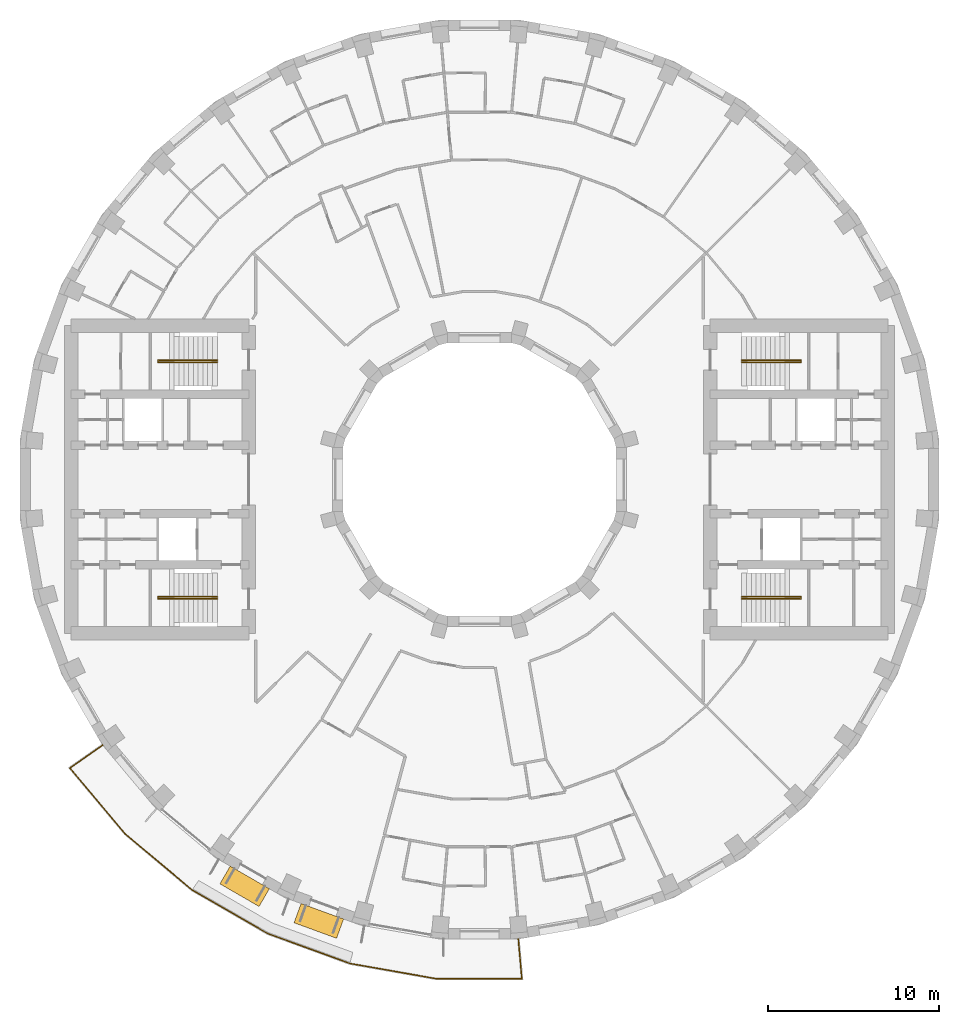
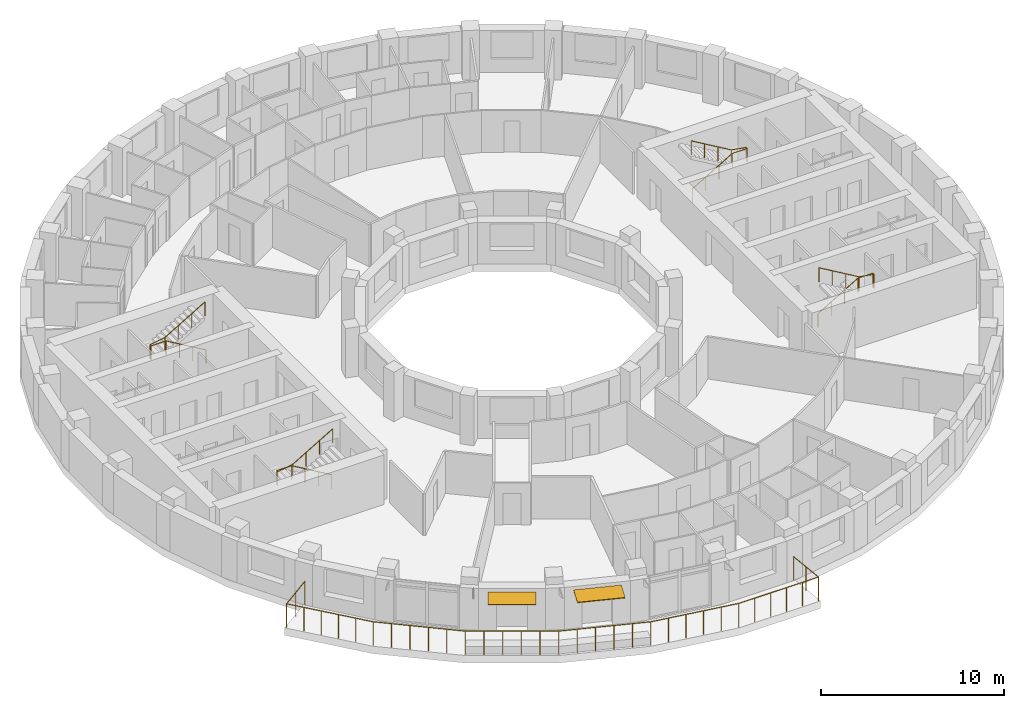
# One storey, part 14 of 14: 5 railings, 2 shading devices.
"""IFC4 building model written with IfcOpenShell, lengths in metres."""

from ifc_helpers import new_model, si_unit, direction, frame, origin, origin_2d, place, context, subcontext, project, spatial, rectangle, circle, extrude, material, layer, layer_set, type_object, element, save


model = new_model("IFC4")

# Units and contexts
model_context = context("Model", 3, precision=1e-05, world=origin(), true_north=direction((0.0, 1.0)))
body_context = subcontext(model_context, "Body", "Model", "MODEL_VIEW")
ifc_project = project(units=[si_unit("LENGTHUNIT", "METRE"), si_unit("AREAUNIT", "SQUARE_METRE"), si_unit("VOLUMEUNIT", "CUBIC_METRE"), si_unit("PLANEANGLEUNIT", "RADIAN"), si_unit("MASSUNIT", "GRAM", prefix="KILO")], contexts=[model_context])

# Site, building, storey
site_placement = place(None, origin())
site = spatial("IfcSite", under=ifc_project, at=site_placement, CompositionType="ELEMENT")
building_placement = place(site_placement, origin())
building = spatial("IfcBuilding", under=site, at=building_placement, Name="Saqina Gate Tower", CompositionType="ELEMENT")
storey_placement = place(building_placement, frame((0.0, 0.0, 134.800048828125)))
storey = spatial("IfcBuildingStorey", under=building, at=storey_placement, Name="L38", CompositionType="ELEMENT", Elevation=134.800048828125)

# Shading devices
ifc_material_1 = material(Name="Aluminium and fabric awning", Category="aluminium")
ifc_layer = layer(ifc_material_1, 0.050048828125)
ifc_layer_set = layer_set([ifc_layer], Name="AW-TERRACE")
shading_device_type = type_object("IfcShadingDeviceType", Name="AW-TERRACE", PredefinedType="AWNING", material=ifc_layer_set)
for number, where, z_axis, x_axis, name in (
    (1, (-13.74853515625, -23.813232421875, 2.52490234375), (0.0, 0.0, 1.0), (0.866025403784, -0.5, 0.0), "Terrace awning L38 facet 24"),
    (2, (-9.404541015625, -25.839111328125, 2.52490234375), (0.0, 0.0, 1.0), (0.939692620786, -0.342020143326, 0.0), "Terrace awning L38 facet 25"),
):
    element("IfcShadingDevice", number, at=place(storey_placement, frame(where, z_axis=z_axis, x_axis=x_axis)), inside=storey, type_object=shading_device_type, Name=name, PredefinedType="AWNING", context=body_context, shape_type="SweptSolid", body=[
        extrude(rectangle(XDim=2.647705078125, YDim=1.199951171875, at=origin_2d()), origin(), (0.0, 0.0, 1.0), 0.050048828125),
    ])

# Railings
ifc_material_2 = material(Name="Stainless steel", Category="steel")
railing_type_1 = type_object("IfcRailingType", Name="RL-TERRACE", PredefinedType="GUARDRAIL", material=ifc_material_2)
railing_1_placement = place(storey_placement, frame((-22.022216796875, -15.517578125, 0.0)))
element("IfcRailing", 3, at=railing_1_placement, inside=storey, type_object=railing_type_1, Name="Terrace guard L38", PredefinedType="GUARDRAIL", context=body_context, shape_type="SweptSolid", body=[
    extrude(circle(Radius=0.02392578125, at=origin_2d()), frame((0.0, 0.0, 1.576171875), z_axis=(-0.819111872113, -0.573633803889, 0.0), x_axis=(0.573633803889, -0.819111872113, 0.0)), (0.0, 0.0, 1.0), 2.388916015625),
    extrude(circle(Radius=0.02392578125, at=origin_2d()), frame((-1.956787109375, -1.370361328125, 1.576171875), z_axis=(0.643889225098, -0.765118726606, 0.0), x_axis=(0.765118726606, 0.643889225098, 0.0)), (0.0, 0.0, 1.0), 5.03271484375),
    extrude(circle(Radius=0.02392578125, at=origin_2d()), frame((1.28369140625, -5.220947265625, 1.576171875), z_axis=(0.766020862158, -0.642815711334, 0.0), x_axis=(0.642815711334, 0.766020862158, 0.0)), (0.0, 0.0, 1.0), 5.112548828125),
    extrude(circle(Radius=0.02392578125, at=origin_2d()), frame((5.199951171875, -8.50732421875, 1.576171875), z_axis=(0.866018575041, -0.500011827544, 0.0), x_axis=(0.500011827544, 0.866018575041, 0.0)), (0.0, 0.0, 1.0), 5.1123046875),
    extrude(circle(Radius=0.02392578125, at=origin_2d()), frame((9.627197265625, -11.0634765625, 1.576171875), z_axis=(0.939695786518, -0.342011445423, 0.0), x_axis=(0.342011445423, 0.939695786518, 0.0)), (0.0, 0.0, 1.0), 5.112548828125),
    extrude(circle(Radius=0.02392578125, at=origin_2d()), frame((14.431396484375, -12.81201171875, 1.576171875), z_axis=(0.984809508757, -0.173638220049, 0.0), x_axis=(0.173638220049, 0.984809508757, 0.0)), (0.0, 0.0, 1.0), 5.1123046875),
    extrude(circle(Radius=0.02392578125, at=origin_2d()), frame((19.466064453125, -13.69970703125, 1.576171875), z_axis=(0.999999077512, -0.001358298931, 0.0), x_axis=(0.001358298931, 0.999999077512, 0.0)), (0.0, 0.0, 1.0), 5.03271484375),
    extrude(circle(Radius=0.02392578125, at=origin_2d()), frame((24.498779296875, -13.70654296875, 1.576171875), z_axis=(-0.087180896688, 0.996192497087, 0.0), x_axis=(-0.996192497087, -0.087180896688, 0.0)), (0.0, 0.0, 1.0), 2.388671875),
    extrude(circle(Radius=0.02099609375, at=origin_2d()), origin(), (0.0, 0.0, 1.0), 1.552001953125),
    extrude(circle(Radius=0.02099609375, at=origin_2d()), frame((-0.978515625, -0.68505859375, 0.0)), (0.0, 0.0, 1.0), 1.552001953125),
    extrude(circle(Radius=0.02099609375, at=origin_2d()), frame((-1.956787109375, -1.370361328125, 0.0)), (0.0, 0.0, 1.0), 1.552001953125),
    extrude(circle(Radius=0.02099609375, at=origin_2d()), frame((-1.30859375, -2.140380859375, 0.0)), (0.0, 0.0, 1.0), 1.552001953125),
    extrude(circle(Radius=0.02099609375, at=origin_2d()), frame((-0.66064453125, -2.91064453125, 0.0)), (0.0, 0.0, 1.0), 1.552001953125),
    extrude(circle(Radius=0.02099609375, at=origin_2d()), frame((-0.012451171875, -3.6806640625, 0.0)), (0.0, 0.0, 1.0), 1.552001953125),
    extrude(circle(Radius=0.02099609375, at=origin_2d()), frame((0.635498046875, -4.450927734375, 0.0)), (0.0, 0.0, 1.0), 1.552001953125),
    extrude(circle(Radius=0.02099609375, at=origin_2d()), frame((1.28369140625, -5.220947265625, 0.0)), (0.0, 0.0, 1.0), 1.552001953125),
    extrude(circle(Radius=0.02099609375, at=origin_2d()), frame((2.06689453125, -5.878173828125, 0.0)), (0.0, 0.0, 1.0), 1.552001953125),
    extrude(circle(Radius=0.02099609375, at=origin_2d()), frame((2.85009765625, -6.535400390625, 0.0)), (0.0, 0.0, 1.0), 1.552001953125),
    extrude(circle(Radius=0.02099609375, at=origin_2d()), frame((3.633544921875, -7.19287109375, 0.0)), (0.0, 0.0, 1.0), 1.552001953125),
    extrude(circle(Radius=0.02099609375, at=origin_2d()), frame((4.416748046875, -7.85009765625, 0.0)), (0.0, 0.0, 1.0), 1.552001953125),
    extrude(circle(Radius=0.02099609375, at=origin_2d()), frame((5.199951171875, -8.50732421875, 0.0)), (0.0, 0.0, 1.0), 1.552001953125),
    extrude(circle(Radius=0.02099609375, at=origin_2d()), frame((6.08544921875, -9.0185546875, 0.0)), (0.0, 0.0, 1.0), 1.552001953125),
    extrude(circle(Radius=0.02099609375, at=origin_2d()), frame((6.970947265625, -9.52978515625, 0.0)), (0.0, 0.0, 1.0), 1.552001953125),
    extrude(circle(Radius=0.02099609375, at=origin_2d()), frame((7.856201171875, -10.041015625, 0.0)), (0.0, 0.0, 1.0), 1.552001953125),
    extrude(circle(Radius=0.02099609375, at=origin_2d()), frame((8.74169921875, -10.55224609375, 0.0)), (0.0, 0.0, 1.0), 1.552001953125),
    extrude(circle(Radius=0.02099609375, at=origin_2d()), frame((9.627197265625, -11.0634765625, 0.0)), (0.0, 0.0, 1.0), 1.552001953125),
    extrude(circle(Radius=0.02099609375, at=origin_2d()), frame((10.588134765625, -11.4130859375, 0.0)), (0.0, 0.0, 1.0), 1.552001953125),
    extrude(circle(Radius=0.02099609375, at=origin_2d()), frame((11.548828125, -11.762939453125, 0.0)), (0.0, 0.0, 1.0), 1.552001953125),
    extrude(circle(Radius=0.02099609375, at=origin_2d()), frame((12.509765625, -12.112548828125, 0.0)), (0.0, 0.0, 1.0), 1.552001953125),
    extrude(circle(Radius=0.02099609375, at=origin_2d()), frame((13.470458984375, -12.46240234375, 0.0)), (0.0, 0.0, 1.0), 1.552001953125),
    extrude(circle(Radius=0.02099609375, at=origin_2d()), frame((14.431396484375, -12.81201171875, 0.0)), (0.0, 0.0, 1.0), 1.552001953125),
    extrude(circle(Radius=0.02099609375, at=origin_2d()), frame((15.438232421875, -12.989501953125, 0.0)), (0.0, 0.0, 1.0), 1.552001953125),
    extrude(circle(Radius=0.02099609375, at=origin_2d()), frame((16.4453125, -13.1669921875, 0.0)), (0.0, 0.0, 1.0), 1.552001953125),
    extrude(circle(Radius=0.02099609375, at=origin_2d()), frame((17.4521484375, -13.3447265625, 0.0)), (0.0, 0.0, 1.0), 1.552001953125),
    extrude(circle(Radius=0.02099609375, at=origin_2d()), frame((18.459228515625, -13.522216796875, 0.0)), (0.0, 0.0, 1.0), 1.552001953125),
    extrude(circle(Radius=0.02099609375, at=origin_2d()), frame((19.466064453125, -13.69970703125, 0.0)), (0.0, 0.0, 1.0), 1.552001953125),
    extrude(circle(Radius=0.02099609375, at=origin_2d()), frame((20.47265625, -13.701171875, 0.0)), (0.0, 0.0, 1.0), 1.552001953125),
    extrude(circle(Radius=0.02099609375, at=origin_2d()), frame((21.479248046875, -13.702392578125, 0.0)), (0.0, 0.0, 1.0), 1.552001953125),
    extrude(circle(Radius=0.02099609375, at=origin_2d()), frame((22.485595703125, -13.703857421875, 0.0)), (0.0, 0.0, 1.0), 1.552001953125),
    extrude(circle(Radius=0.02099609375, at=origin_2d()), frame((23.4921875, -13.705078125, 0.0)), (0.0, 0.0, 1.0), 1.552001953125),
    extrude(circle(Radius=0.02099609375, at=origin_2d()), frame((24.498779296875, -13.70654296875, 0.0)), (0.0, 0.0, 1.0), 1.552001953125),
    extrude(circle(Radius=0.02099609375, at=origin_2d()), frame((24.39453125, -12.5166015625, 0.0)), (0.0, 0.0, 1.0), 1.552001953125),
    extrude(circle(Radius=0.02099609375, at=origin_2d()), frame((24.29052734375, -11.326904296875, 0.0)), (0.0, 0.0, 1.0), 1.552001953125),
])
ifc_material_3 = material(Name="Stainless steel", Category="steel")
railing_type_2 = type_object("IfcRailingType", Name="STAIR HANDRAIL", PredefinedType="HANDRAIL", material=ifc_material_3)
railing_2_placement = place(storey_placement, frame((15.35009765625, 6.86669921875, 0.1650390625)))
element("IfcRailing", 4, at=railing_2_placement, inside=storey, type_object=railing_type_2, Name="EXIT STAIR 1 HANDRAIL", PredefinedType="HANDRAIL", context=body_context, shape_type="SweptSolid", body=[
    extrude(circle(Radius=0.02392578125, at=origin_2d()), frame((0.0, 0.0, 0.92578125), z_axis=(0.861560626758, 0.0, 0.507654692109), x_axis=(0.0, 1.0, 0.0)), (0.0, 0.0, 1.0), 2.925048828125),
    extrude(circle(Radius=0.02392578125, at=origin_2d()), frame((2.52001953125, 0.0, 2.41064453125), z_axis=(1.0, 0.0, 0.0), x_axis=(0.0, 1.0, 0.0)), (0.0, 0.0, 1.0), 0.949951171875),
    extrude(circle(Radius=0.02392578125, at=origin_2d()), frame((3.469970703125, 0.0, 2.41064453125), z_axis=(0.0, 1.0, 0.0), x_axis=(-1.0, 0.0, 0.0)), (0.0, 0.0, 1.0), 0.11669921875),
    extrude(circle(Radius=0.02392578125, at=origin_2d()), frame((3.469970703125, 0.11669921875, 2.41064453125), z_axis=(-0.985241474778, 0.0, 0.171170197109), x_axis=(0.0, -1.0, 0.0)), (0.0, 0.0, 1.0), 0.964111328125),
    extrude(circle(Radius=0.02392578125, at=origin_2d()), frame((2.52001953125, 0.11669921875, 2.57568359375), z_axis=(-0.86152411907, 0.0, 0.507716645641), x_axis=(0.0, -1.0, 0.0)), (0.0, 0.0, 1.0), 2.925048828125),
    extrude(circle(Radius=0.02099609375, at=origin_2d()), origin(), (0.0, 0.0, 1.0), 0.90185546875),
    extrude(circle(Radius=0.02099609375, at=origin_2d()), frame((0.840087890625, 0.0, 0.494873046875)), (0.0, 0.0, 1.0), 0.90185546875),
    extrude(circle(Radius=0.02099609375, at=origin_2d()), frame((1.679931640625, 0.0, 0.989990234375)), (0.0, 0.0, 1.0), 0.90185546875),
    extrude(circle(Radius=0.02099609375, at=origin_2d()), frame((2.52001953125, 0.0, 1.48486328125)), (0.0, 0.0, 1.0), 0.90185546875),
    extrude(circle(Radius=0.02099609375, at=origin_2d()), frame((3.469970703125, 0.0, 1.48486328125)), (0.0, 0.0, 1.0), 0.90185546875),
    extrude(circle(Radius=0.02099609375, at=origin_2d()), frame((3.469970703125, 0.11669921875, 1.48486328125)), (0.0, 0.0, 1.0), 0.90185546875),
    extrude(circle(Radius=0.02099609375, at=origin_2d()), frame((2.52001953125, 0.11669921875, 1.64990234375)), (0.0, 0.0, 1.0), 0.90185546875),
    extrude(circle(Radius=0.02099609375, at=origin_2d()), frame((1.679931640625, 0.11669921875, 2.14501953125)), (0.0, 0.0, 1.0), 0.90185546875),
    extrude(circle(Radius=0.02099609375, at=origin_2d()), frame((0.840087890625, 0.11669921875, 2.639892578125)), (0.0, 0.0, 1.0), 0.90185546875),
    extrude(circle(Radius=0.02099609375, at=origin_2d()), frame((0.0, 0.11669921875, 3.135009765625)), (0.0, 0.0, 1.0), 0.90185546875),
])
railing_3_placement = place(storey_placement, frame((15.35009765625, -6.86669921875, 0.1650390625)))
element("IfcRailing", 5, at=railing_3_placement, inside=storey, type_object=railing_type_2, Name="EXIT STAIR 2 HANDRAIL", PredefinedType="HANDRAIL", context=body_context, shape_type="SweptSolid", body=[
    extrude(circle(Radius=0.02392578125, at=origin_2d()), frame((0.0, 0.0, 0.92578125), z_axis=(0.861560626758, 0.0, 0.507654692109), x_axis=(0.0, 1.0, 0.0)), (0.0, 0.0, 1.0), 2.925048828125),
    extrude(circle(Radius=0.02392578125, at=origin_2d()), frame((2.52001953125, 0.0, 2.41064453125), z_axis=(1.0, 0.0, 0.0), x_axis=(0.0, 1.0, 0.0)), (0.0, 0.0, 1.0), 0.949951171875),
    extrude(circle(Radius=0.02392578125, at=origin_2d()), frame((3.469970703125, 0.0, 2.41064453125), z_axis=(0.0, -1.0, 0.0), x_axis=(1.0, 0.0, 0.0)), (0.0, 0.0, 1.0), 0.11669921875),
    extrude(circle(Radius=0.02392578125, at=origin_2d()), frame((3.469970703125, -0.11669921875, 2.41064453125), z_axis=(-0.985241474778, 0.0, 0.171170197109), x_axis=(0.0, -1.0, 0.0)), (0.0, 0.0, 1.0), 0.964111328125),
    extrude(circle(Radius=0.02392578125, at=origin_2d()), frame((2.52001953125, -0.11669921875, 2.57568359375), z_axis=(-0.86152411907, 0.0, 0.507716645641), x_axis=(0.0, -1.0, 0.0)), (0.0, 0.0, 1.0), 2.925048828125),
    extrude(circle(Radius=0.02099609375, at=origin_2d()), origin(), (0.0, 0.0, 1.0), 0.90185546875),
    extrude(circle(Radius=0.02099609375, at=origin_2d()), frame((0.840087890625, 0.0, 0.494873046875)), (0.0, 0.0, 1.0), 0.90185546875),
    extrude(circle(Radius=0.02099609375, at=origin_2d()), frame((1.679931640625, 0.0, 0.989990234375)), (0.0, 0.0, 1.0), 0.90185546875),
    extrude(circle(Radius=0.02099609375, at=origin_2d()), frame((2.52001953125, 0.0, 1.48486328125)), (0.0, 0.0, 1.0), 0.90185546875),
    extrude(circle(Radius=0.02099609375, at=origin_2d()), frame((3.469970703125, 0.0, 1.48486328125)), (0.0, 0.0, 1.0), 0.90185546875),
    extrude(circle(Radius=0.02099609375, at=origin_2d()), frame((3.469970703125, -0.11669921875, 1.48486328125)), (0.0, 0.0, 1.0), 0.90185546875),
    extrude(circle(Radius=0.02099609375, at=origin_2d()), frame((2.52001953125, -0.11669921875, 1.64990234375)), (0.0, 0.0, 1.0), 0.90185546875),
    extrude(circle(Radius=0.02099609375, at=origin_2d()), frame((1.679931640625, -0.11669921875, 2.14501953125)), (0.0, 0.0, 1.0), 0.90185546875),
    extrude(circle(Radius=0.02099609375, at=origin_2d()), frame((0.840087890625, -0.11669921875, 2.639892578125)), (0.0, 0.0, 1.0), 0.90185546875),
    extrude(circle(Radius=0.02099609375, at=origin_2d()), frame((0.0, -0.11669921875, 3.135009765625)), (0.0, 0.0, 1.0), 0.90185546875),
])
railing_4_placement = place(storey_placement, frame((-15.35009765625, 6.86669921875, 0.1650390625)))
element("IfcRailing", 6, at=railing_4_placement, inside=storey, type_object=railing_type_2, Name="EXIT STAIR 3 HANDRAIL", PredefinedType="HANDRAIL", context=body_context, shape_type="SweptSolid", body=[
    extrude(circle(Radius=0.02392578125, at=origin_2d()), frame((0.0, 0.0, 0.92578125), z_axis=(-0.861560626758, 0.0, 0.507654692109), x_axis=(0.0, -1.0, 0.0)), (0.0, 0.0, 1.0), 2.925048828125),
    extrude(circle(Radius=0.02392578125, at=origin_2d()), frame((-2.52001953125, 0.0, 2.41064453125), z_axis=(-1.0, 0.0, 0.0), x_axis=(0.0, -1.0, 0.0)), (0.0, 0.0, 1.0), 0.949951171875),
    extrude(circle(Radius=0.02392578125, at=origin_2d()), frame((-3.469970703125, 0.0, 2.41064453125), z_axis=(0.0, 1.0, 0.0), x_axis=(-1.0, 0.0, 0.0)), (0.0, 0.0, 1.0), 0.11669921875),
    extrude(circle(Radius=0.02392578125, at=origin_2d()), frame((-3.469970703125, 0.11669921875, 2.41064453125), z_axis=(0.985241474778, 0.0, 0.171170197109), x_axis=(0.0, 1.0, 0.0)), (0.0, 0.0, 1.0), 0.964111328125),
    extrude(circle(Radius=0.02392578125, at=origin_2d()), frame((-2.52001953125, 0.11669921875, 2.57568359375), z_axis=(0.86152411907, 0.0, 0.507716645641), x_axis=(0.0, 1.0, 0.0)), (0.0, 0.0, 1.0), 2.925048828125),
    extrude(circle(Radius=0.02099609375, at=origin_2d()), origin(), (0.0, 0.0, 1.0), 0.90185546875),
    extrude(circle(Radius=0.02099609375, at=origin_2d()), frame((-0.840087890625, 0.0, 0.494873046875)), (0.0, 0.0, 1.0), 0.90185546875),
    extrude(circle(Radius=0.02099609375, at=origin_2d()), frame((-1.679931640625, 0.0, 0.989990234375)), (0.0, 0.0, 1.0), 0.90185546875),
    extrude(circle(Radius=0.02099609375, at=origin_2d()), frame((-2.52001953125, 0.0, 1.48486328125)), (0.0, 0.0, 1.0), 0.90185546875),
    extrude(circle(Radius=0.02099609375, at=origin_2d()), frame((-3.469970703125, 0.0, 1.48486328125)), (0.0, 0.0, 1.0), 0.90185546875),
    extrude(circle(Radius=0.02099609375, at=origin_2d()), frame((-3.469970703125, 0.11669921875, 1.48486328125)), (0.0, 0.0, 1.0), 0.90185546875),
    extrude(circle(Radius=0.02099609375, at=origin_2d()), frame((-2.52001953125, 0.11669921875, 1.64990234375)), (0.0, 0.0, 1.0), 0.90185546875),
    extrude(circle(Radius=0.02099609375, at=origin_2d()), frame((-1.679931640625, 0.11669921875, 2.14501953125)), (0.0, 0.0, 1.0), 0.90185546875),
    extrude(circle(Radius=0.02099609375, at=origin_2d()), frame((-0.840087890625, 0.11669921875, 2.639892578125)), (0.0, 0.0, 1.0), 0.90185546875),
    extrude(circle(Radius=0.02099609375, at=origin_2d()), frame((0.0, 0.11669921875, 3.135009765625)), (0.0, 0.0, 1.0), 0.90185546875),
])
railing_5_placement = place(storey_placement, frame((-15.35009765625, -6.86669921875, 0.1650390625)))
element("IfcRailing", 7, at=railing_5_placement, inside=storey, type_object=railing_type_2, Name="EXIT STAIR 4 HANDRAIL", PredefinedType="HANDRAIL", context=body_context, shape_type="SweptSolid", body=[
    extrude(circle(Radius=0.02392578125, at=origin_2d()), frame((0.0, 0.0, 0.92578125), z_axis=(-0.861560626758, 0.0, 0.507654692109), x_axis=(0.0, -1.0, 0.0)), (0.0, 0.0, 1.0), 2.925048828125),
    extrude(circle(Radius=0.02392578125, at=origin_2d()), frame((-2.52001953125, 0.0, 2.41064453125), z_axis=(-1.0, 0.0, 0.0), x_axis=(0.0, -1.0, 0.0)), (0.0, 0.0, 1.0), 0.949951171875),
    extrude(circle(Radius=0.02392578125, at=origin_2d()), frame((-3.469970703125, 0.0, 2.41064453125), z_axis=(0.0, -1.0, 0.0), x_axis=(1.0, 0.0, 0.0)), (0.0, 0.0, 1.0), 0.11669921875),
    extrude(circle(Radius=0.02392578125, at=origin_2d()), frame((-3.469970703125, -0.11669921875, 2.41064453125), z_axis=(0.985241474778, 0.0, 0.171170197109), x_axis=(0.0, 1.0, 0.0)), (0.0, 0.0, 1.0), 0.964111328125),
    extrude(circle(Radius=0.02392578125, at=origin_2d()), frame((-2.52001953125, -0.11669921875, 2.57568359375), z_axis=(0.86152411907, 0.0, 0.507716645641), x_axis=(0.0, 1.0, 0.0)), (0.0, 0.0, 1.0), 2.925048828125),
    extrude(circle(Radius=0.02099609375, at=origin_2d()), origin(), (0.0, 0.0, 1.0), 0.90185546875),
    extrude(circle(Radius=0.02099609375, at=origin_2d()), frame((-0.840087890625, 0.0, 0.494873046875)), (0.0, 0.0, 1.0), 0.90185546875),
    extrude(circle(Radius=0.02099609375, at=origin_2d()), frame((-1.679931640625, 0.0, 0.989990234375)), (0.0, 0.0, 1.0), 0.90185546875),
    extrude(circle(Radius=0.02099609375, at=origin_2d()), frame((-2.52001953125, 0.0, 1.48486328125)), (0.0, 0.0, 1.0), 0.90185546875),
    extrude(circle(Radius=0.02099609375, at=origin_2d()), frame((-3.469970703125, 0.0, 1.48486328125)), (0.0, 0.0, 1.0), 0.90185546875),
    extrude(circle(Radius=0.02099609375, at=origin_2d()), frame((-3.469970703125, -0.11669921875, 1.48486328125)), (0.0, 0.0, 1.0), 0.90185546875),
    extrude(circle(Radius=0.02099609375, at=origin_2d()), frame((-2.52001953125, -0.11669921875, 1.64990234375)), (0.0, 0.0, 1.0), 0.90185546875),
    extrude(circle(Radius=0.02099609375, at=origin_2d()), frame((-1.679931640625, -0.11669921875, 2.14501953125)), (0.0, 0.0, 1.0), 0.90185546875),
    extrude(circle(Radius=0.02099609375, at=origin_2d()), frame((-0.840087890625, -0.11669921875, 2.639892578125)), (0.0, 0.0, 1.0), 0.90185546875),
    extrude(circle(Radius=0.02099609375, at=origin_2d()), frame((0.0, -0.11669921875, 3.135009765625)), (0.0, 0.0, 1.0), 0.90185546875),
])

save(model, "model.ifc")
